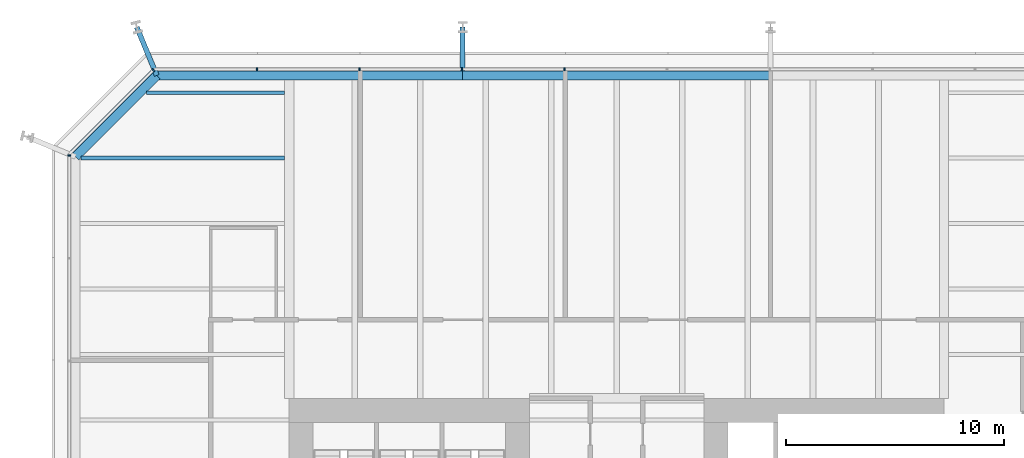
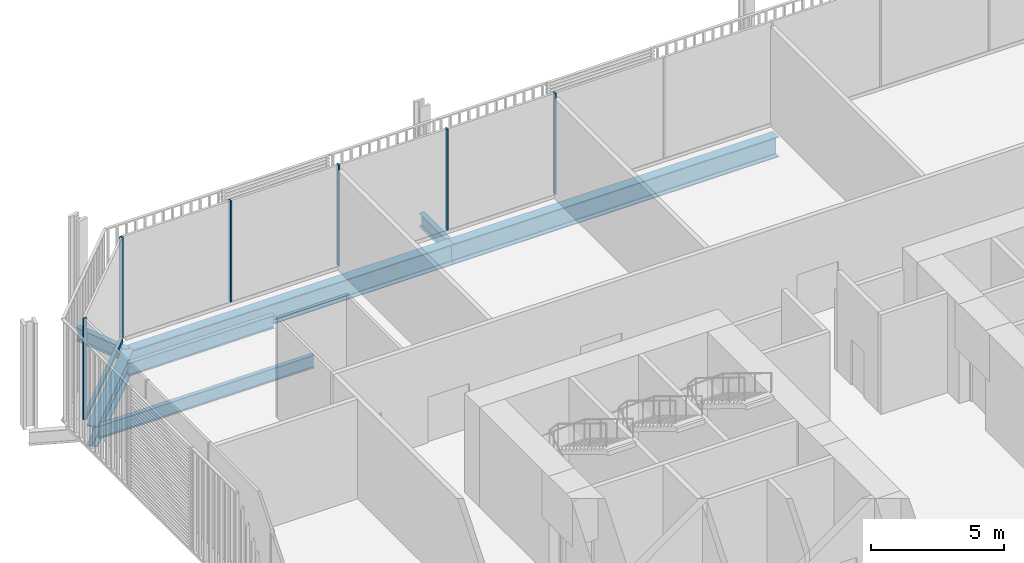
# One storey, part 14 of 22: 7 beams, 7 members, 3 elements without a shape of their own.
"""IFC4 building model written with IfcOpenShell, lengths in metres."""

from ifc_helpers import new_model, si_unit, direction, frame, origin, origin_2d, place, context, subcontext, project, spatial, rectangle, i_section, extrude, material, layer, layer_set, material_profile, profile_set, type_object, element, aggregate, save


model = new_model("IFC4")

# Units and contexts
model_context = context("Model", 3, precision=1e-05, world=origin(), true_north=direction((0.0, 1.0)))
body_context = subcontext(model_context, "Body", "Model", "MODEL_VIEW")
ifc_project = project(units=[si_unit("LENGTHUNIT", "METRE"), si_unit("AREAUNIT", "SQUARE_METRE"), si_unit("VOLUMEUNIT", "CUBIC_METRE"), si_unit("PLANEANGLEUNIT", "RADIAN"), si_unit("MASSUNIT", "GRAM", prefix="KILO")], contexts=[model_context])

# Site, building, storey
site_placement = place(None, origin())
site = spatial("IfcSite", under=ifc_project, at=site_placement, CompositionType="ELEMENT")
building_placement = place(site_placement, origin())
building = spatial("IfcBuilding", under=site, at=building_placement, Name="Millrace Tower", CompositionType="ELEMENT")
storey_placement = place(building_placement, frame((0.0, 0.0, 40.10009765625)))
storey = spatial("IfcBuildingStorey", under=building, at=storey_placement, Name="L09", CompositionType="ELEMENT", Elevation=40.10009765625)

# Curtain wall, members
ifc_material_1 = material(Name="Aluminium and glass", Category="aluminium")
ifc_layer = layer(ifc_material_1, 0.14990234375)
ifc_layer_set = layer_set([ifc_layer], Name="Aluminium and glass")
curtain_wall_type = type_object("IfcCurtainWallType", Name="CW-2 data hall insulated curtain wall", PredefinedType="NOTDEFINED", material=ifc_layer_set)
placement = place(storey_placement, origin())
curtain_wall_1 = element("IfcCurtainWall", 1, at=placement, inside=storey, type_object=curtain_wall_type, Name="Curtain wall A-F06 L09", PredefinedType="NOTDEFINED")
ifc_material_2 = material(Name="Aluminium", Category="aluminium")
ifc_material_profile_1 = material_profile(ifc_material_2, rectangle(XDim=0.06494140625, YDim=0.14990234375, at=origin_2d()))
ifc_profile_set_1 = profile_set([ifc_material_profile_1], Name="Aluminium")
member_type_1 = type_object("IfcMemberType", Name="CW-2 data hall insulated curtain wall mullion", PredefinedType="MULLION", material=ifc_profile_set_1)
member_1_placement = place(storey_placement, frame((-2.382568359375, 25.074951171875, 0.159912109375), z_axis=(0.0, 0.0, 1.0), x_axis=(-1.0, 0.0, 0.0)))
member_1 = element("IfcMember", 2, at=member_1_placement, type_object=member_type_1, Name="CW2 mullion A-F06.6", PredefinedType="MULLION", context=body_context, shape_type="SweptSolid", body=[
    extrude(rectangle(XDim=0.06494140625, YDim=0.14990234375, at=origin_2d()), origin(), (0.0, 0.0, 1.0), 4.639892578125),
])
member_2_placement = place(storey_placement, frame((-7.08251953125, 25.074951171875, 0.159912109375), z_axis=(0.0, 0.0, 1.0), x_axis=(-1.0, 0.0, 0.0)))
member_2 = element("IfcMember", 3, at=member_2_placement, type_object=member_type_1, Name="CW2 mullion A-F06.7", PredefinedType="MULLION", context=body_context, shape_type="SweptSolid", body=[
    extrude(rectangle(XDim=0.06494140625, YDim=0.14990234375, at=origin_2d()), origin(), (0.0, 0.0, 1.0), 4.639892578125),
])
member_3_placement = place(storey_placement, frame((-11.782470703125, 25.074951171875, 0.159912109375), z_axis=(0.0, 0.0, 1.0), x_axis=(-1.0, 0.0, 0.0)))
member_3 = element("IfcMember", 4, at=member_3_placement, type_object=member_type_1, Name="CW2 mullion A-F06.8", PredefinedType="MULLION", context=body_context, shape_type="SweptSolid", body=[
    extrude(rectangle(XDim=0.06494140625, YDim=0.14990234375, at=origin_2d()), origin(), (0.0, 0.0, 1.0), 4.639892578125),
])
member_4_placement = place(storey_placement, frame((-16.482421875, 25.074951171875, 0.159912109375), z_axis=(0.0, 0.0, 1.0), x_axis=(-1.0, 0.0, 0.0)))
member_4 = element("IfcMember", 5, at=member_4_placement, type_object=member_type_1, Name="CW2 mullion A-F06.9", PredefinedType="MULLION", context=body_context, shape_type="SweptSolid", body=[
    extrude(rectangle(XDim=0.06494140625, YDim=0.14990234375, at=origin_2d()), origin(), (0.0, 0.0, 1.0), 4.639892578125),
])
aggregate(curtain_wall_1, [member_1, member_2, member_3, member_4])

# Curtain wall, member
curtain_wall_2 = element("IfcCurtainWall", 6, at=placement, inside=storey, type_object=curtain_wall_type, Name="Curtain wall A-F07 L09", PredefinedType="NOTDEFINED")
member_5_placement = place(storey_placement, frame((-21.22607421875, 25.030029296875, 0.159912109375), z_axis=(0.0, 0.0, 1.0), x_axis=(-0.707106781187, -0.707106781187, 0.0)))
member_5 = element("IfcMember", 7, at=member_5_placement, type_object=member_type_1, Name="CW2 mullion A-F07.1", PredefinedType="MULLION", context=body_context, shape_type="SweptSolid", body=[
    extrude(rectangle(XDim=0.06494140625, YDim=0.14990234375, at=origin_2d()), origin(), (0.0, 0.0, 1.0), 4.639892578125),
])

curtain_wall_3 = element("IfcCurtainWall", 8, at=placement, inside=storey, type_object=curtain_wall_type, Name="Curtain wall A-F08 L09", PredefinedType="NOTDEFINED")
member_6_placement = place(storey_placement, frame((-25.074951171875, 21.117431640625, 0.159912109375), z_axis=(0.0, 0.0, 1.0), x_axis=(0.0, -1.0, 0.0)))
member_6 = element("IfcMember", 9, at=member_6_placement, type_object=member_type_1, Name="CW2 mullion A-F08.1", PredefinedType="MULLION", context=body_context, shape_type="SweptSolid", body=[
    extrude(rectangle(XDim=0.06494140625, YDim=0.14990234375, at=origin_2d()), origin(), (0.0, 0.0, 1.0), 4.639892578125),
])
aggregate(curtain_wall_3, [member_6])

# Member
ifc_material_3 = material(Name="Aluminium", Category="aluminium")
ifc_material_profile_2 = material_profile(ifc_material_3, rectangle(XDim=0.14990234375, YDim=0.159912109375, at=origin_2d()))
ifc_profile_set_2 = profile_set([ifc_material_profile_2], Name="Aluminium")
member_type_2 = type_object("IfcMemberType", Name="CW-2 data hall insulated curtain wall transom", PredefinedType="USERDEFINED", material=ifc_profile_set_2)
member_7_placement = place(storey_placement, frame((-21.273681640625, 24.982421875, 0.079833984375), z_axis=(-0.707106781187, -0.707106781187, 0.0), x_axis=(0.707106781187, -0.707106781187, 0.0)))
member_7 = element("IfcMember", 10, at=member_7_placement, type_object=member_type_2, Name="CW2 transom A-F07.1", ObjectType="TRANSOM", PredefinedType="USERDEFINED", context=body_context, shape_type="SweptSolid", body=[
    extrude(rectangle(XDim=0.14990234375, YDim=0.159912109375, at=origin_2d()), origin(), (0.0, 0.0, 1.0), 5.244873046875),
])

aggregate(curtain_wall_2, [member_5, member_7])

# Beams
ifc_material_4 = material(Name="Steel ASTM A992 Grade 50", Category="steel")
ifc_material_profile_3 = material_profile(ifc_material_4, i_section(OverallWidth=0.177978515625, OverallDepth=0.599365234375, WebThickness=0.010009765625, FlangeThickness=0.012939453125, FilletRadius=0.012939453125, at=origin_2d()))
ifc_profile_set_3 = profile_set([ifc_material_profile_3], Name="Steel ASTM A992 Grade 50")
beam_type_1 = type_object("IfcBeamType", Name="Floor beam W24x55", PredefinedType="JOIST", material=ifc_profile_set_3)
beam_1_placement = place(storey_placement, frame((-21.52978515625, 24.0, -0.52490234375), z_axis=(1.0, 0.0, 0.0), x_axis=(0.0, 1.0, 0.0)))
element("IfcBeam", 11, at=beam_1_placement, inside=storey, type_object=beam_type_1, Name="BM-A-L09-S1-S040", PredefinedType="JOIST", context=body_context, shape_type="SweptSolid", body=[
    extrude(i_section(OverallWidth=0.177978515625, OverallDepth=0.599365234375, WebThickness=0.010009765625, FlangeThickness=0.012939453125, FilletRadius=0.012939453125, at=origin_2d()), origin(), (0.0, 0.0, 1.0), 6.317626953125),
])
ifc_material_5 = material(Name="Steel ASTM A992 Grade 50", Category="steel")
ifc_material_profile_4 = material_profile(ifc_material_5, i_section(OverallWidth=0.1787109375, OverallDepth=0.60205078125, WebThickness=0.010986328125, FlangeThickness=0.014892578125, FilletRadius=0.0126953125, at=origin_2d()))
ifc_profile_set_4 = profile_set([ifc_material_profile_4], Name="Steel ASTM A992 Grade 50")
beam_type_2 = type_object("IfcBeamType", Name="Floor beam W24x62", PredefinedType="JOIST", material=ifc_profile_set_4)
beam_2_placement = place(storey_placement, frame((-24.52978515625, 21.0, -0.526123046875), z_axis=(1.0, 0.0, 0.0), x_axis=(0.0, 1.0, 0.0)))
element("IfcBeam", 12, at=beam_2_placement, inside=storey, type_object=beam_type_2, Name="BM-A-L09-S1-S038", PredefinedType="JOIST", context=body_context, shape_type="SweptSolid", body=[
    extrude(i_section(OverallWidth=0.1787109375, OverallDepth=0.60205078125, WebThickness=0.010986328125, FlangeThickness=0.014892578125, FilletRadius=0.0126953125, at=origin_2d()), origin(), (0.0, 0.0, 1.0), 9.317626953125),
])
ifc_material_6 = material(Name="Steel ASTM A992 Grade 50", Category="steel")
ifc_material_profile_5 = material_profile(ifc_material_6, i_section(OverallWidth=0.23046875, OverallDepth=0.6171875, WebThickness=0.01318359375, FlangeThickness=0.022216796875, FilletRadius=0.012939453125, at=origin_2d()))
ifc_profile_set_5 = profile_set([ifc_material_profile_5], Name="Steel ASTM A992 Grade 50")
beam_type_3 = type_object("IfcBeamType", Name="Link beam W24x94", PredefinedType="BEAM", material=ifc_profile_set_5)
beam_3_placement = place(storey_placement, frame((-21.062744140625, 24.7890625, -0.53369140625), z_axis=(-0.382673155247, 0.923883789366, 0.0), x_axis=(-0.923883789366, -0.382673155247, 0.0)))
element("IfcBeam", 13, at=beam_3_placement, inside=storey, type_object=beam_type_3, Name="LNK-A-L09-S1-05", PredefinedType="BEAM", context=body_context, shape_type="SweptSolid", body=[
    extrude(i_section(OverallWidth=0.23046875, OverallDepth=0.6171875, WebThickness=0.01318359375, FlangeThickness=0.022216796875, FilletRadius=0.012939453125, at=origin_2d()), origin(), (0.0, 0.0, 1.0), 2.39306640625),
])
beam_4_placement = place(storey_placement, frame((-7.050048828125, 25.0, -0.53369140625), z_axis=(0.0, 1.0, 0.0), x_axis=(-1.0, 0.0, 0.0)))
element("IfcBeam", 14, at=beam_4_placement, inside=storey, type_object=beam_type_3, Name="LNK-A-L09-S1-06", PredefinedType="BEAM", context=body_context, shape_type="SweptSolid", body=[
    extrude(i_section(OverallWidth=0.23046875, OverallDepth=0.6171875, WebThickness=0.01318359375, FlangeThickness=0.022216796875, FilletRadius=0.012939453125, at=origin_2d()), origin(), (0.0, 0.0, 1.0), 2.0),
])
ifc_material_7 = material(Name="Steel ASTM A992 Grade 50", Category="steel")
ifc_material_profile_6 = material_profile(ifc_material_7, i_section(OverallWidth=0.421630859375, OverallDepth=0.937255859375, WebThickness=0.021240234375, FlangeThickness=0.03662109375, FilletRadius=0.024169921875, at=origin_2d()))
ifc_profile_set_6 = profile_set([ifc_material_profile_6], Name="Steel ASTM A992 Grade 50")
beam_type_4 = type_object("IfcBeamType", Name="Ring beam medium span W36x262", PredefinedType="SPANDREL", material=ifc_profile_set_6)
beam_5_placement = place(storey_placement, frame((-21.062744140625, 24.7890625, -0.69384765625), z_axis=(1.0, 0.0, 0.0), x_axis=(0.0, 1.0, 0.0)))
element("IfcBeam", 15, at=beam_5_placement, inside=storey, type_object=beam_type_4, Name="RNG-A-L09-S1-05", PredefinedType="SPANDREL", context=body_context, shape_type="SweptSolid", body=[
    extrude(i_section(OverallWidth=0.421630859375, OverallDepth=0.937255859375, WebThickness=0.021240234375, FlangeThickness=0.03662109375, FilletRadius=0.024169921875, at=origin_2d()), origin(), (0.0, 0.0, 1.0), 14.0126953125),
])
beam_6_placement = place(storey_placement, frame((-7.050048828125, 24.7890625, -0.69384765625), z_axis=(1.0, 0.0, 0.0), x_axis=(0.0, 1.0, 0.0)))
element("IfcBeam", 16, at=beam_6_placement, inside=storey, type_object=beam_type_4, Name="RNG-A-L09-S1-06", PredefinedType="SPANDREL", context=body_context, shape_type="SweptSolid", body=[
    extrude(i_section(OverallWidth=0.421630859375, OverallDepth=0.937255859375, WebThickness=0.021240234375, FlangeThickness=0.03662109375, FilletRadius=0.024169921875, at=origin_2d()), origin(), (0.0, 0.0, 1.0), 14.10009765625),
])
ifc_material_8 = material(Name="Steel ASTM A992 Grade 50", Category="steel")
ifc_material_profile_7 = material_profile(ifc_material_8, i_section(OverallWidth=0.421630859375, OverallDepth=0.937255859375, WebThickness=0.021240234375, FlangeThickness=0.03662109375, FilletRadius=0.024169921875, at=origin_2d()))
ifc_profile_set_7 = profile_set([ifc_material_profile_7], Name="Steel ASTM A992 Grade 50")
beam_type_5 = type_object("IfcBeamType", Name="Ring beam short span W36x262", PredefinedType="SPANDREL", material=ifc_profile_set_7)
beam_7_placement = place(storey_placement, frame((-24.7890625, 21.062744140625, -0.69384765625), z_axis=(0.707106781187, 0.707106781187, 0.0), x_axis=(-0.707106781187, 0.707106781187, 0.0)))
element("IfcBeam", 17, at=beam_7_placement, inside=storey, type_object=beam_type_5, Name="RNG-A-L09-S1-04", PredefinedType="SPANDREL", context=body_context, shape_type="SweptSolid", body=[
    extrude(i_section(OverallWidth=0.421630859375, OverallDepth=0.937255859375, WebThickness=0.021240234375, FlangeThickness=0.03662109375, FilletRadius=0.024169921875, at=origin_2d()), origin(), (0.0, 0.0, 1.0), 5.269775390625),
])

save(model, "model.ifc")
